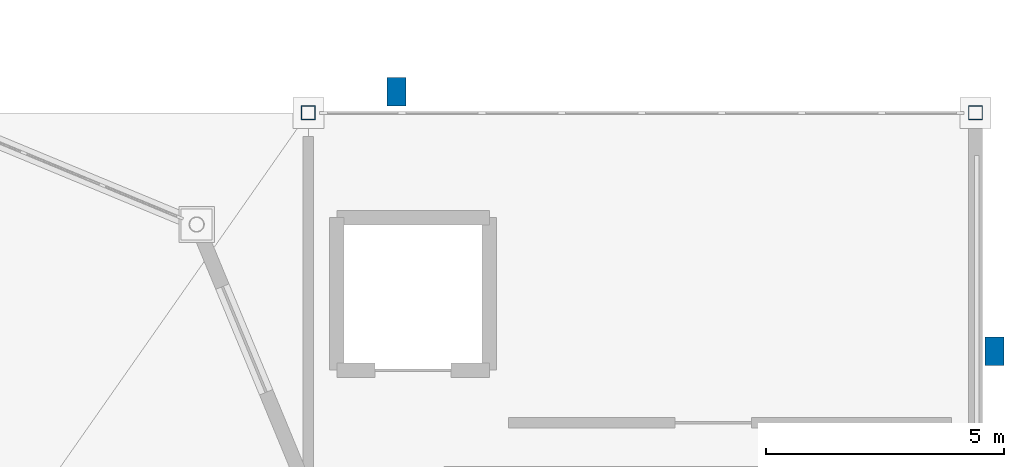
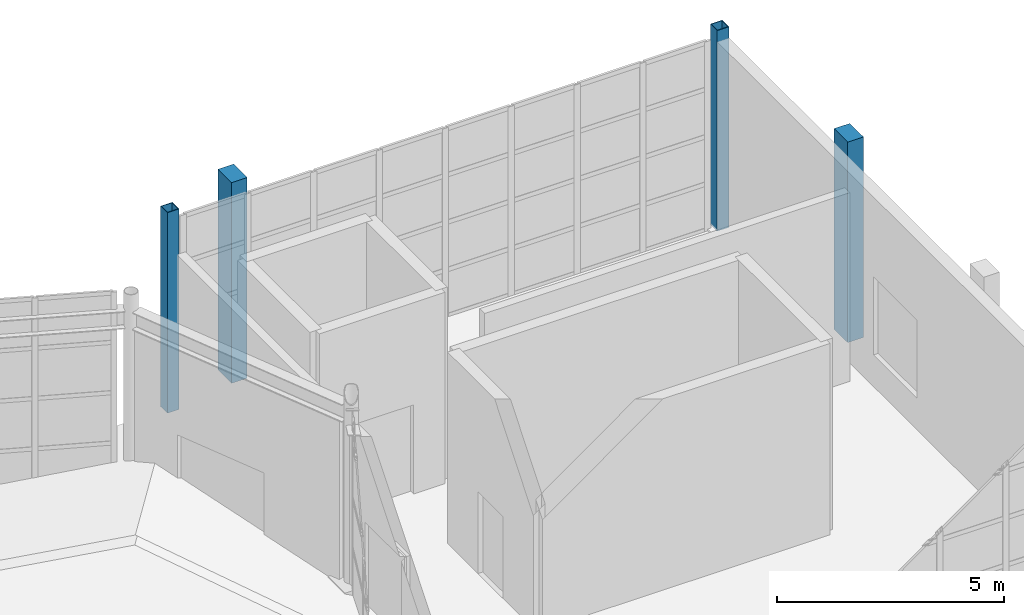
# One storey, part 13 of 82: 4 columns.
"""IFC4 building model written with IfcOpenShell, lengths in metres."""

from ifc_helpers import new_model, si_unit, direction, frame, origin, origin_2d, place, context, subcontext, project, spatial, rectangle, hollow_rectangle, extrude, material, material_profile, profile_set, type_object, element, save


model = new_model("IFC4")

# Units and contexts
model_context = context("Model", 3, precision=1e-05, world=origin(), true_north=direction((0.0, 1.0)))
body_context = subcontext(model_context, "Body", "Model", "MODEL_VIEW")
ifc_project = project(units=[si_unit("LENGTHUNIT", "METRE"), si_unit("AREAUNIT", "SQUARE_METRE"), si_unit("VOLUMEUNIT", "CUBIC_METRE"), si_unit("PLANEANGLEUNIT", "RADIAN"), si_unit("MASSUNIT", "GRAM", prefix="KILO")], contexts=[model_context])

# Site, building, storey
site_placement = place(None, origin())
site = spatial("IfcSite", under=ifc_project, at=site_placement, CompositionType="ELEMENT")
building_placement = place(site_placement, origin())
building = spatial("IfcBuilding", under=site, at=building_placement, Name="Serraluz Foothill Cableway Terminal", CompositionType="ELEMENT")
storey_placement = place(building_placement, frame((0.0, 0.0, 9.60009765625)))
storey = spatial("IfcBuildingStorey", under=building, at=storey_placement, Name="L02", CompositionType="ELEMENT", Elevation=9.60009765625)

# Columns
ifc_material_1 = material(Name="Steel ASTM A572 Grade 50", Category="steel")
ifc_material_profile_1 = material_profile(ifc_material_1, hollow_rectangle(XDim=0.300048828125, YDim=0.300048828125, WallThickness=0.01611328125, at=origin_2d()), Name="HSS300X300X16")
ifc_profile_set_1 = profile_set([ifc_material_profile_1], Name="Steel ASTM A572 Grade 50")
column_type_1 = type_object("IfcColumnType", Name="TYP-COL-HSS300", PredefinedType="COLUMN", material=ifc_profile_set_1)
for number, where, z_axis, x_axis, name in (
    (1, (160.0, 72.0, 0.0), (0.0, 0.0, 1.0), (1.0, 0.0, 0.0), "Column COL-V2-160-72-L02"),
    (2, (174.0, 72.0, 0.0), (0.0, 0.0, 1.0), (1.0, 0.0, 0.0), "Column COL-V2-174-72-L02"),
):
    element("IfcColumn", number, at=place(storey_placement, frame(where, z_axis=z_axis, x_axis=x_axis)), inside=storey, type_object=column_type_1, Name=name, PredefinedType="COLUMN", context=body_context, shape_type="SweptSolid", body=[
        extrude(hollow_rectangle(XDim=0.300048828125, YDim=0.300048828125, WallThickness=0.01611328125, at=origin_2d()), origin(), (0.0, 0.0, 1.0), 5.39990234375),
    ])
ifc_material_2 = material(Name="Fired clay masonry brick (f'm 12 MPa)", Category="masonry")
ifc_material_profile_2 = material_profile(ifc_material_2, rectangle(XDim=0.39990234375, YDim=0.60009765625, at=origin_2d()), Name="PIL 400x600")
ifc_profile_set_2 = profile_set([ifc_material_profile_2], Name="Fired clay masonry brick (f'm 12 MPa)")
column_type_2 = type_object("IfcColumnType", Name="TYP-PIL-400X600", PredefinedType="PILASTER", material=ifc_profile_set_2)
for number, where, z_axis, x_axis, name in (
    (3, (174.39990234375, 67.0, 0.0), (0.0, 0.0, 1.0), (1.0, 0.0, 0.0), "Brick Pilaster Pier PL-15 L02"),
    (4, (161.85009765625, 72.43994140625, 0.0), (0.0, 0.0, 1.0), (1.0, 0.0, 0.0), "Brick Pilaster Pier PL-33 L02"),
):
    element("IfcColumn", number, at=place(storey_placement, frame(where, z_axis=z_axis, x_axis=x_axis)), inside=storey, type_object=column_type_2, Name=name, PredefinedType="PILASTER", context=body_context, shape_type="SweptSolid", body=[
        extrude(rectangle(XDim=0.39990234375, YDim=0.60009765625, at=origin_2d()), origin(), (0.0, 0.0, 1.0), 5.39990234375),
    ])

save(model, "model.ifc")
